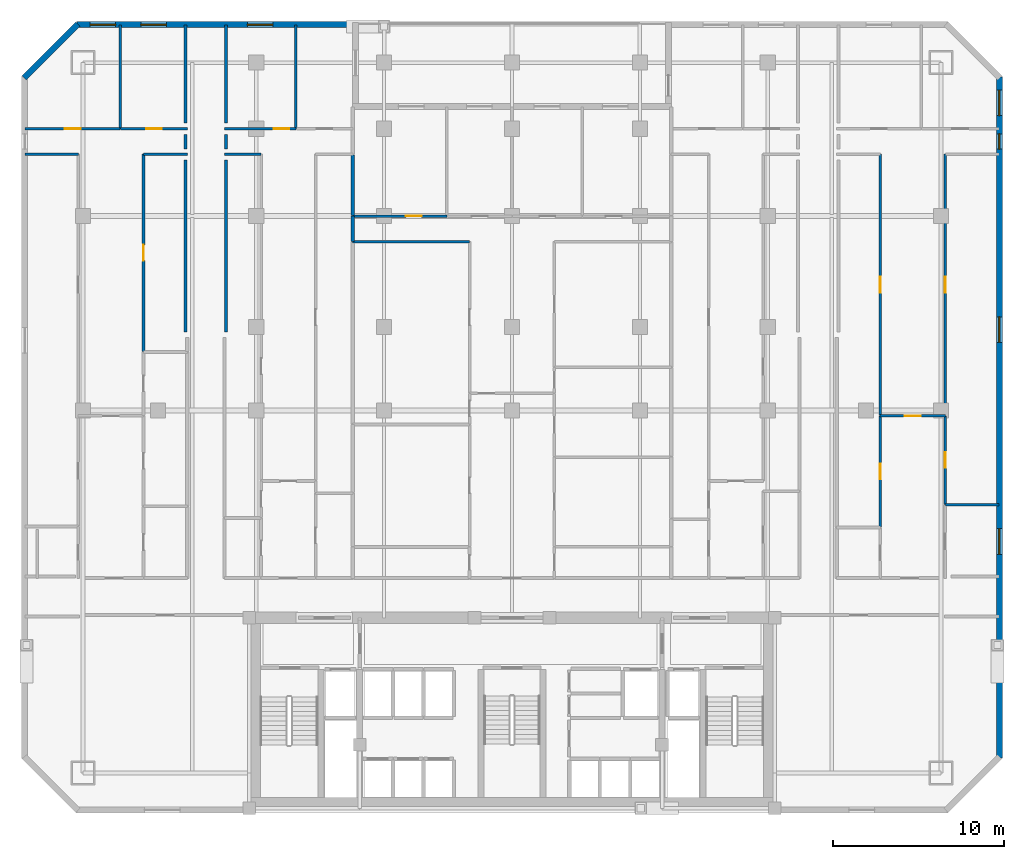
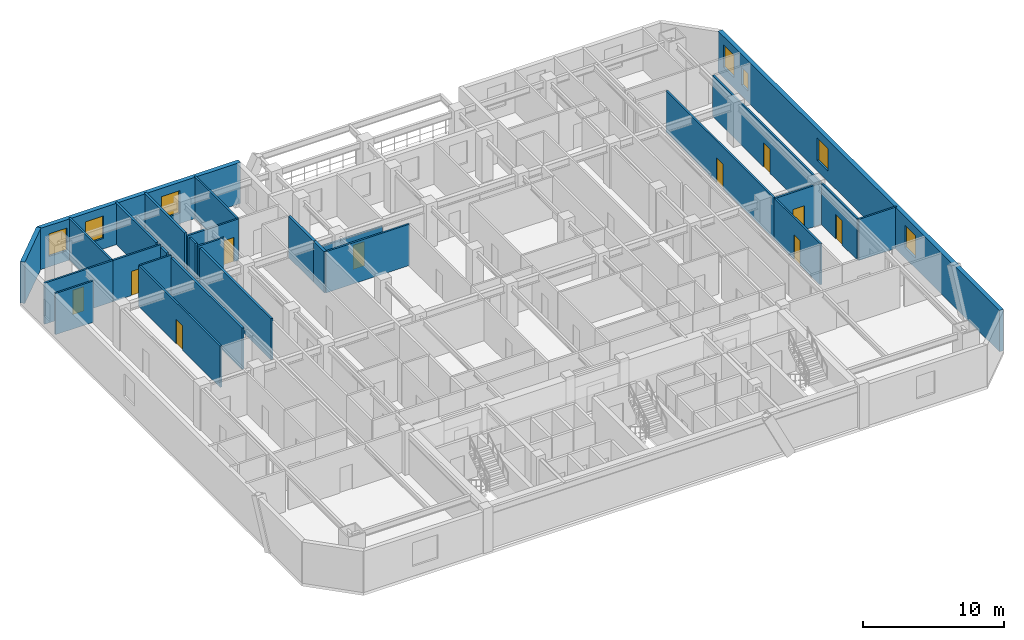
# One storey, part 7 of 10: 28 walls, 10 doors, 7 windows, 17 openings.
"""IFC4 building model written with IfcOpenShell, lengths in metres."""

from ifc_helpers import new_model, si_unit, direction, frame, frame_2d, origin, place, context, subcontext, project, spatial, rectangle, extrude, material, layer, layer_set, type_object, element, fill, save


model = new_model("IFC4")

# Units and contexts
model_context = context("Model", 3, precision=1e-05, world=origin(), true_north=direction((0.0, 1.0)))
body_context = subcontext(model_context, "Body", "Model", "MODEL_VIEW")
ifc_project = project(units=[si_unit("LENGTHUNIT", "METRE"), si_unit("AREAUNIT", "SQUARE_METRE"), si_unit("VOLUMEUNIT", "CUBIC_METRE"), si_unit("PLANEANGLEUNIT", "RADIAN"), si_unit("MASSUNIT", "GRAM", prefix="KILO")], contexts=[model_context])

# Site, building, storey
site_placement = place(None, origin())
site = spatial("IfcSite", under=ifc_project, at=site_placement, CompositionType="ELEMENT")
building_placement = place(site_placement, origin())
building = spatial("IfcBuilding", under=site, at=building_placement, Name="Ventersveld Concourse Tower", CompositionType="ELEMENT")
storey_placement = place(building_placement, frame((0.0, 0.0, 72.14990234375)))
storey = spatial("IfcBuildingStorey", under=building, at=storey_placement, Name="L17", CompositionType="ELEMENT", Elevation=72.14990234375)

# Walls
ifc_material_1 = material(Name="Fire-rated autoclaved aerated masonry blockwork", Category="masonry")
ifc_layer_1 = layer(ifc_material_1, 0.179931640625)
ifc_layer_set_1 = layer_set([ifc_layer_1], Name="Fire-rated autoclaved aerated masonry blockwork")
wall_type_1 = type_object("IfcWallType", Name="WL-CORR-180", PredefinedType="PARTITIONING", material=ifc_layer_set_1)
wall_1_placement = place(storey_placement, frame((9.6201171875, 39.794921875, 0.0), z_axis=(0.0, 0.0, 1.0), x_axis=(0.0, -1.0, 0.0)))
element("IfcWall", 1, at=wall_1_placement, inside=storey, type_object=wall_type_1, Name="L17 Room Enclosure Wall SP-L17-17NW-LIV", PredefinedType="PARTITIONING", context=body_context, shape_type="SweptSolid", body=[
    extrude(rectangle(XDim=0.849853515625, YDim=0.179931640625, at=frame_2d((0.4248046875, 0.0))), origin(), (0.0, 0.0, 1.0), 3.570068359375),
])
wall_2_placement = place(storey_placement, frame((9.6201171875, 38.294921875, 0.0), z_axis=(0.0, 0.0, 1.0), x_axis=(0.0, -1.0, 0.0)))
element("IfcWall", 2, at=wall_2_placement, inside=storey, type_object=wall_type_1, Name="L17 Room Enclosure Wall SP-L17-17NW-DENS", PredefinedType="PARTITIONING", context=body_context, shape_type="SweptSolid", body=[
    extrude(rectangle(XDim=10.0849609375, YDim=0.179931640625, at=frame_2d((5.04248046875, 0.0))), origin(), (0.0, 0.0, 1.0), 3.570068359375),
])
wall_3_placement = place(storey_placement, frame((9.6201171875, 46.18994140625, 0.0), z_axis=(0.0, 0.0, 1.0), x_axis=(0.0, -1.0, 0.0)))
element("IfcWall", 3, at=wall_3_placement, inside=storey, type_object=wall_type_1, Name="L17 Room Enclosure Wall SP-L17-17NW-BR2", PredefinedType="PARTITIONING", context=body_context, shape_type="SweptSolid", body=[
    extrude(rectangle(XDim=5.744873046875, YDim=0.179931640625, at=frame_2d((2.87255859375, 0.0))), origin(), (0.0, 0.0, 1.0), 3.570068359375),
])
wall_4_placement = place(storey_placement, frame((11.97998046875, 38.945068359375, 0.0), z_axis=(0.0, 0.0, 1.0), x_axis=(0.0, 1.0, 0.0)))
element("IfcWall", 4, at=wall_4_placement, inside=storey, type_object=wall_type_1, Name="L17 Room Enclosure Wall SP-L17-17CW-LIV", PredefinedType="PARTITIONING", context=body_context, shape_type="SweptSolid", body=[
    extrude(rectangle(XDim=0.849853515625, YDim=0.179931640625, at=frame_2d((0.4248046875, 0.0))), origin(), (0.0, 0.0, 1.0), 3.570068359375),
])
wall_5_placement = place(storey_placement, frame((11.97998046875, 28.2099609375, 0.0), z_axis=(0.0, 0.0, 1.0), x_axis=(0.0, 1.0, 0.0)))
element("IfcWall", 5, at=wall_5_placement, inside=storey, type_object=wall_type_1, Name="L17 Room Enclosure Wall SP-L17-17CW-SEML0", PredefinedType="PARTITIONING", context=body_context, shape_type="SweptSolid", body=[
    extrude(rectangle(XDim=10.0849609375, YDim=0.179931640625, at=frame_2d((5.04248046875, 0.0))), origin(), (0.0, 0.0, 1.0), 3.570068359375),
])
wall_6_placement = place(storey_placement, frame((11.97998046875, 40.445068359375, 0.0), z_axis=(0.0, 0.0, 1.0), x_axis=(0.0, 1.0, 0.0)))
element("IfcWall", 6, at=wall_6_placement, inside=storey, type_object=wall_type_1, Name="L17 Room Enclosure Wall SP-L17-17CW-BR1", PredefinedType="PARTITIONING", context=body_context, shape_type="SweptSolid", body=[
    extrude(rectangle(XDim=5.744873046875, YDim=0.179931640625, at=frame_2d((2.87255859375, 0.0))), origin(), (0.0, 0.0, 1.0), 3.570068359375),
])
ifc_layer_2 = layer(ifc_material_1, 0.199951171875)
ifc_layer_set_2 = layer_set([ifc_layer_2], Name="Fire-rated autoclaved aerated masonry blockwork")
wall_type_2 = type_object("IfcWallType", Name="WL-DEMISE-200", PredefinedType="PARTITIONING", material=ifc_layer_set_2)
wall_7_placement = place(storey_placement, frame((19.409912109375, 33.4951171875, 0.0), z_axis=(0.0, 0.0, 1.0), x_axis=(0.0, 1.0, 0.0)))
element("IfcWall", 7, at=wall_7_placement, inside=storey, type_object=wall_type_2, Name="L17 Interior Partition SP-L17-17CW-DENR-SP-L17-17CM-LIV", PredefinedType="PARTITIONING", context=body_context, shape_type="SweptSolid", body=[
    extrude(rectangle(XDim=1.509765625, YDim=0.199951171875, at=frame_2d((0.7548828125, 0.0))), origin(), (0.0, 0.0, 1.0), 3.570068359375),
])
wall_8_placement = place(storey_placement, frame((19.409912109375, 35.034912109375, 0.0), z_axis=(0.0, 0.0, 1.0), x_axis=(0.0, 1.0, 0.0)))
element("IfcWall", 8, at=wall_8_placement, inside=storey, type_object=wall_type_2, Name="L17 Interior Partition SP-L17-17CW-DENR-SP-L17-17CM-BR1", PredefinedType="PARTITIONING", context=body_context, shape_type="SweptSolid", body=[
    extrude(rectangle(XDim=3.550048828125, YDim=0.199951171875, at=frame_2d((1.77490234375, 0.0))), origin(), (0.0, 0.0, 1.0), 3.570068359375),
])
ifc_material_2 = material(Name="Autoclaved aerated masonry blockwork", Category="masonry")
ifc_layer_3 = layer(ifc_material_2, 0.14990234375)
ifc_layer_set_3 = layer_set([ifc_layer_3], Name="Autoclaved aerated masonry blockwork")
wall_type_3 = type_object("IfcWallType", Name="WL-INT-150", PredefinedType="PARTITIONING", material=ifc_layer_set_3)
wall_9_placement = place(storey_placement, frame((0.2099609375, 38.6201171875, 0.0), z_axis=(0.0, 0.0, 1.0), x_axis=(1.0, 0.0, 0.0)))
element("IfcWall", 9, at=wall_9_placement, inside=storey, type_object=wall_type_3, Name="L17 Interior Partition SP-L17-17NW-LIV-SP-L17-17NW-MEDL0", PredefinedType="PARTITIONING", context=body_context, shape_type="SweptSolid", body=[
    extrude(rectangle(XDim=3.117919921875, YDim=0.14990234375, at=frame_2d((1.55908203125, 0.0))), origin(), (0.0, 0.0, 1.0), 3.570068359375),
])

# Wall, opening, door
wall_10_placement = place(storey_placement, frame((7.144775390625, 27.06396484375, 0.0), z_axis=(0.0, 0.0, 1.0), x_axis=(0.0, 1.0, 0.0)))
wall_10 = element("IfcWall", 10, at=wall_10_placement, inside=storey, type_object=wall_type_3, Name="L17 Interior Partition SP-L17-17NW-LIV-SP-L17-17NW-DENS", PredefinedType="PARTITIONING", context=body_context, shape_type="SweptSolid", body=[
    extrude(rectangle(XDim=11.56103515625, YDim=0.14990234375, at=frame_2d((5.780517578125, 0.0))), origin(), (0.0, 0.0, 1.0), 3.570068359375),
])
opening_1_placement = place(wall_10_placement, frame((5.320556640625, 0.0, 0.0)))
opening_1 = element("IfcOpeningElement", 11, at=opening_1_placement, cuts=wall_10, Name="Opening ID1", PredefinedType="OPENING", context=body_context, shape_type="SweptSolid", body=[
    extrude(rectangle(XDim=0.919921875, YDim=2.10009765625, at=frame_2d((0.4599609375, 1.050048828125))), frame((0.0, 0.0849609375, 0.0), z_axis=(0.0, -1.0, 0.0), x_axis=(1.0, 0.0, 0.0)), (0.0, 0.0, 1.0), 0.169921875),
])
ifc_material_3 = material(Name="Solid-core hardwood veneer timber", Category="wood")
door_type = type_object("IfcDoorType", Name="DR-ROOM-092", OperationType="NOTDEFINED", PredefinedType="DOOR", material=ifc_material_3)
door_1_placement = place(opening_1_placement, origin())
door_1 = element("IfcDoor", 12, at=door_1_placement, inside=storey, type_object=door_type, Name="L17 Interior Door SP-L17-17NW-LIV to SP-L17-17NW-DENS (D-L17-0792)", OperationType="SINGLE_SWING_RIGHT", OverallHeight=2.10009765625, OverallWidth=0.919921875, PredefinedType="DOOR", context=body_context, shape_type="SweptSolid", body=[
    extrude(rectangle(XDim=0.919921875, YDim=2.10009765625, at=frame_2d((0.4599609375, 1.050048828125))), frame((0.0, 0.02490234375, 0.0), z_axis=(0.0, -1.0, 0.0), x_axis=(1.0, 0.0, 0.0)), (0.0, 0.0, 1.0), 0.050048828125),
])
fill(opening_1, door_1)

# Wall
wall_11_placement = place(storey_placement, frame((7.139892578125, 38.6201171875, 0.0), z_axis=(0.0, 0.0, 1.0), x_axis=(1.0, 0.0, 0.0)))
element("IfcWall", 13, at=wall_11_placement, inside=storey, type_object=wall_type_3, Name="L17 Interior Partition SP-L17-17NW-LIV-SP-L17-17NW-DENS", PredefinedType="PARTITIONING", context=body_context, shape_type="SweptSolid", body=[
    extrude(rectangle(XDim=2.5751953125, YDim=0.14990234375, at=frame_2d((1.28759765625, 0.0))), origin(), (0.0, 0.0, 1.0), 3.570068359375),
])

# Wall, opening, door
wall_12_placement = place(storey_placement, frame((0.2099609375, 40.1201171875, 0.0), z_axis=(0.0, 0.0, 1.0), x_axis=(1.0, 0.0, 0.0)))
wall_12 = element("IfcWall", 14, at=wall_12_placement, inside=storey, type_object=wall_type_3, Name="L17 Interior Partition SP-L17-17NW-LIV-SP-L17-17NW-BR1", PredefinedType="PARTITIONING", context=body_context, shape_type="SweptSolid", body=[
    extrude(rectangle(XDim=5.566162109375, YDim=0.14990234375, at=frame_2d((2.783203125, 0.0))), origin(), (0.0, 0.0, 1.0), 3.570068359375),
])
opening_2_placement = place(wall_12_placement, frame((2.322998046875, 0.0, 0.0)))
opening_2 = element("IfcOpeningElement", 15, at=opening_2_placement, cuts=wall_12, Name="Opening ID1", PredefinedType="OPENING", context=body_context, shape_type="SweptSolid", body=[
    extrude(rectangle(XDim=0.919921875, YDim=2.10009765625, at=frame_2d((0.4599609375, 1.050048828125))), frame((0.0, 0.0849609375, 0.0), z_axis=(0.0, -1.0, 0.0), x_axis=(1.0, 0.0, 0.0)), (0.0, 0.0, 1.0), 0.169921875),
])
door_2_placement = place(opening_2_placement, origin())
door_2 = element("IfcDoor", 16, at=door_2_placement, inside=storey, type_object=door_type, Name="L17 Interior Door SP-L17-17NW-LIV to SP-L17-17NW-BR1 (D-L17-0793)", OperationType="SINGLE_SWING_LEFT", OverallHeight=2.10009765625, OverallWidth=0.919921875, PredefinedType="DOOR", context=body_context, shape_type="SweptSolid", body=[
    extrude(rectangle(XDim=0.919921875, YDim=2.10009765625, at=frame_2d((0.4599609375, 1.050048828125))), frame((0.0, 0.02490234375, 0.0), z_axis=(0.0, -1.0, 0.0), x_axis=(1.0, 0.0, 0.0)), (0.0, 0.0, 1.0), 0.050048828125),
])
fill(opening_2, door_2)

wall_13_placement = place(storey_placement, frame((5.80615234375, 40.1201171875, 0.0), z_axis=(0.0, 0.0, 1.0), x_axis=(1.0, 0.0, 0.0)))
wall_13 = element("IfcWall", 17, at=wall_13_placement, inside=storey, type_object=wall_type_3, Name="L17 Interior Partition SP-L17-17NW-LIV-SP-L17-17NW-BR2", PredefinedType="PARTITIONING", context=body_context, shape_type="SweptSolid", body=[
    extrude(rectangle(XDim=3.908935546875, YDim=0.14990234375, at=frame_2d((1.95458984375, 0.0))), origin(), (0.0, 0.0, 1.0), 3.570068359375),
])
opening_3_placement = place(wall_13_placement, frame((1.494384765625, 0.0, 0.0)))
opening_3 = element("IfcOpeningElement", 18, at=opening_3_placement, cuts=wall_13, Name="Opening ID1", PredefinedType="OPENING", context=body_context, shape_type="SweptSolid", body=[
    extrude(rectangle(XDim=0.919921875, YDim=2.10009765625, at=frame_2d((0.4599609375, 1.050048828125))), frame((0.0, 0.0849609375, 0.0), z_axis=(0.0, -1.0, 0.0), x_axis=(1.0, 0.0, 0.0)), (0.0, 0.0, 1.0), 0.169921875),
])
door_3_placement = place(opening_3_placement, origin())
door_3 = element("IfcDoor", 19, at=door_3_placement, inside=storey, type_object=door_type, Name="L17 Interior Door SP-L17-17NW-LIV to SP-L17-17NW-BR2 (D-L17-0794)", OperationType="SINGLE_SWING_RIGHT", OverallHeight=2.10009765625, OverallWidth=0.919921875, PredefinedType="DOOR", context=body_context, shape_type="SweptSolid", body=[
    extrude(rectangle(XDim=0.919921875, YDim=2.10009765625, at=frame_2d((0.4599609375, 1.050048828125))), frame((0.0, 0.02490234375, 0.0), z_axis=(0.0, -1.0, 0.0), x_axis=(1.0, 0.0, 0.0)), (0.0, 0.0, 1.0), 0.050048828125),
])
fill(opening_3, door_3)

# Wall
wall_14_placement = place(storey_placement, frame((5.771240234375, 40.114990234375, 0.0), z_axis=(0.0, 0.0, 1.0), x_axis=(0.0, 1.0, 0.0)))
element("IfcWall", 20, at=wall_14_placement, inside=storey, type_object=wall_type_3, Name="L17 Interior Partition SP-L17-17NW-BR1-SP-L17-17NW-BR2", PredefinedType="PARTITIONING", context=body_context, shape_type="SweptSolid", body=[
    extrude(rectangle(XDim=6.074951171875, YDim=0.14990234375, at=frame_2d((3.03759765625, 0.0))), origin(), (0.0, 0.0, 1.0), 3.570068359375),
])

# Wall, opening, door
wall_15_placement = place(storey_placement, frame((50.33203125, 23.2822265625, 0.0), z_axis=(0.0, 0.0, 1.0), x_axis=(1.0, 0.0, 0.0)))
wall_15 = element("IfcWall", 21, at=wall_15_placement, inside=storey, type_object=wall_type_3, Name="L17 Interior Partition SP-L17-17NE-FOY-SP-L17-17NE-LIV", PredefinedType="PARTITIONING", context=body_context, shape_type="SweptSolid", body=[
    extrude(rectangle(XDim=3.83203125, YDim=0.14990234375, at=frame_2d((1.916015625, 0.0))), origin(), (0.0, 0.0, 1.0), 3.570068359375),
])
opening_4_placement = place(wall_15_placement, frame((1.4560546875, 0.0, 0.0)))
opening_4 = element("IfcOpeningElement", 22, at=opening_4_placement, cuts=wall_15, Name="Opening ID1", PredefinedType="OPENING", context=body_context, shape_type="SweptSolid", body=[
    extrude(rectangle(XDim=0.919921875, YDim=2.10009765625, at=frame_2d((0.4599609375, 1.050048828125))), frame((0.0, 0.0849609375, 0.0), z_axis=(0.0, -1.0, 0.0), x_axis=(1.0, 0.0, 0.0)), (0.0, 0.0, 1.0), 0.169921875),
])
door_4_placement = place(opening_4_placement, origin())
door_4 = element("IfcDoor", 23, at=door_4_placement, inside=storey, type_object=door_type, Name="L17 Interior Door SP-L17-17NE-FOY to SP-L17-17NE-LIV (D-L17-0795)", OperationType="SINGLE_SWING_LEFT", OverallHeight=2.10009765625, OverallWidth=0.919921875, PredefinedType="DOOR", context=body_context, shape_type="SweptSolid", body=[
    extrude(rectangle(XDim=0.919921875, YDim=2.10009765625, at=frame_2d((0.4599609375, 1.050048828125))), frame((0.0, 0.02490234375, 0.0), z_axis=(0.0, -1.0, 0.0), x_axis=(1.0, 0.0, 0.0)), (0.0, 0.0, 1.0), 0.050048828125),
])
fill(opening_4, door_4)

wall_16_placement = place(storey_placement, frame((50.337158203125, 16.773193359375, 0.0), z_axis=(0.0, 0.0, 1.0), x_axis=(0.0, 1.0, 0.0)))
wall_16 = element("IfcWall", 24, at=wall_16_placement, inside=storey, type_object=wall_type_3, Name="L17 Interior Partition SP-L17-17NE-FOY-SP-L17-17NE-MEDL0", PredefinedType="PARTITIONING", context=body_context, shape_type="SweptSolid", body=[
    extrude(rectangle(XDim=6.513916015625, YDim=0.14990234375, at=frame_2d((3.2568359375, 0.0))), origin(), (0.0, 0.0, 1.0), 3.570068359375),
])
opening_5_placement = place(wall_16_placement, frame((2.797119140625, 0.0, 0.0)))
opening_5 = element("IfcOpeningElement", 25, at=opening_5_placement, cuts=wall_16, Name="Opening ID1", PredefinedType="OPENING", context=body_context, shape_type="SweptSolid", body=[
    extrude(rectangle(XDim=0.919921875, YDim=2.10009765625, at=frame_2d((0.4599609375, 1.050048828125))), frame((0.0, 0.0849609375, 0.0), z_axis=(0.0, -1.0, 0.0), x_axis=(1.0, 0.0, 0.0)), (0.0, 0.0, 1.0), 0.169921875),
])
door_5_placement = place(opening_5_placement, origin())
door_5 = element("IfcDoor", 26, at=door_5_placement, inside=storey, type_object=door_type, Name="L17 Interior Door SP-L17-17NE-FOY to SP-L17-17NE-MEDL0 (D-L17-0797)", OperationType="SINGLE_SWING_LEFT", OverallHeight=2.10009765625, OverallWidth=0.919921875, PredefinedType="DOOR", context=body_context, shape_type="SweptSolid", body=[
    extrude(rectangle(XDim=0.919921875, YDim=2.10009765625, at=frame_2d((0.4599609375, 1.050048828125))), frame((0.0, 0.02490234375, 0.0), z_axis=(0.0, -1.0, 0.0), x_axis=(1.0, 0.0, 0.0)), (0.0, 0.0, 1.0), 0.050048828125),
])
fill(opening_5, door_5)

wall_17_placement = place(storey_placement, frame((54.1591796875, 18.103515625, 0.0), z_axis=(0.0, 0.0, 1.0), x_axis=(0.0, 1.0, 0.0)))
wall_17 = element("IfcWall", 27, at=wall_17_placement, inside=storey, type_object=wall_type_3, Name="L17 Interior Partition SP-L17-17NE-FOY-SP-L17-17NE-DENR", PredefinedType="PARTITIONING", context=body_context, shape_type="SweptSolid", body=[
    extrude(rectangle(XDim=5.18359375, YDim=0.14990234375, at=frame_2d((2.591796875, 0.0))), origin(), (0.0, 0.0, 1.0), 3.570068359375),
])
opening_6_placement = place(wall_17_placement, frame((2.1318359375, 0.0, 0.0)))
opening_6 = element("IfcOpeningElement", 28, at=opening_6_placement, cuts=wall_17, Name="Opening ID1", PredefinedType="OPENING", context=body_context, shape_type="SweptSolid", body=[
    extrude(rectangle(XDim=0.919921875, YDim=2.10009765625, at=frame_2d((0.4599609375, 1.050048828125))), frame((0.0, 0.0849609375, 0.0), z_axis=(0.0, -1.0, 0.0), x_axis=(1.0, 0.0, 0.0)), (0.0, 0.0, 1.0), 0.169921875),
])
door_6_placement = place(opening_6_placement, origin())
door_6 = element("IfcDoor", 29, at=door_6_placement, inside=storey, type_object=door_type, Name="L17 Interior Door SP-L17-17NE-FOY to SP-L17-17NE-DENR (D-L17-0799)", OperationType="SINGLE_SWING_LEFT", OverallHeight=2.10009765625, OverallWidth=0.919921875, PredefinedType="DOOR", context=body_context, shape_type="SweptSolid", body=[
    extrude(rectangle(XDim=0.919921875, YDim=2.10009765625, at=frame_2d((0.4599609375, 1.050048828125))), frame((0.0, 0.02490234375, 0.0), z_axis=(0.0, -1.0, 0.0), x_axis=(1.0, 0.0, 0.0)), (0.0, 0.0, 1.0), 0.050048828125),
])
fill(opening_6, door_6)

wall_18_placement = place(storey_placement, frame((50.337158203125, 23.317138671875, 0.0), z_axis=(0.0, 0.0, 1.0), x_axis=(0.0, 1.0, 0.0)))
wall_18 = element("IfcWall", 30, at=wall_18_placement, inside=storey, type_object=wall_type_3, Name="L17 Interior Partition SP-L17-17NE-LIV-SP-L17-17NE-MEDL0", PredefinedType="PARTITIONING", context=body_context, shape_type="SweptSolid", body=[
    extrude(rectangle(XDim=15.307861328125, YDim=0.14990234375, at=frame_2d((7.65380859375, 0.0))), origin(), (0.0, 0.0, 1.0), 3.570068359375),
])
opening_7_placement = place(wall_18_placement, frame((7.19384765625, 0.0, 0.0)))
opening_7 = element("IfcOpeningElement", 31, at=opening_7_placement, cuts=wall_18, Name="Opening ID1", PredefinedType="OPENING", context=body_context, shape_type="SweptSolid", body=[
    extrude(rectangle(XDim=0.919921875, YDim=2.10009765625, at=frame_2d((0.4599609375, 1.050048828125))), frame((0.0, 0.0849609375, 0.0), z_axis=(0.0, -1.0, 0.0), x_axis=(1.0, 0.0, 0.0)), (0.0, 0.0, 1.0), 0.169921875),
])
door_7_placement = place(opening_7_placement, origin())
door_7 = element("IfcDoor", 32, at=door_7_placement, inside=storey, type_object=door_type, Name="L17 Interior Door SP-L17-17NE-LIV to SP-L17-17NE-MEDL0 (D-L17-0800)", OperationType="SINGLE_SWING_RIGHT", OverallHeight=2.10009765625, OverallWidth=0.919921875, PredefinedType="DOOR", context=body_context, shape_type="SweptSolid", body=[
    extrude(rectangle(XDim=0.919921875, YDim=2.10009765625, at=frame_2d((0.4599609375, 1.050048828125))), frame((0.0, 0.02490234375, 0.0), z_axis=(0.0, -1.0, 0.0), x_axis=(1.0, 0.0, 0.0)), (0.0, 0.0, 1.0), 0.050048828125),
])
fill(opening_7, door_7)

wall_19_placement = place(storey_placement, frame((54.1591796875, 23.317138671875, 0.0), z_axis=(0.0, 0.0, 1.0), x_axis=(0.0, 1.0, 0.0)))
wall_19 = element("IfcWall", 33, at=wall_19_placement, inside=storey, type_object=wall_type_3, Name="L17 Interior Partition SP-L17-17NE-LIV-SP-L17-17NE-DENR", PredefinedType="PARTITIONING", context=body_context, shape_type="SweptSolid", body=[
    extrude(rectangle(XDim=15.307861328125, YDim=0.14990234375, at=frame_2d((7.65380859375, 0.0))), origin(), (0.0, 0.0, 1.0), 3.570068359375),
])
opening_8_placement = place(wall_19_placement, frame((7.19384765625, 0.0, 0.0)))
opening_8 = element("IfcOpeningElement", 34, at=opening_8_placement, cuts=wall_19, Name="Opening ID1", PredefinedType="OPENING", context=body_context, shape_type="SweptSolid", body=[
    extrude(rectangle(XDim=0.919921875, YDim=2.10009765625, at=frame_2d((0.4599609375, 1.050048828125))), frame((0.0, 0.0849609375, 0.0), z_axis=(0.0, -1.0, 0.0), x_axis=(1.0, 0.0, 0.0)), (0.0, 0.0, 1.0), 0.169921875),
])
door_8_placement = place(opening_8_placement, origin())
door_8 = element("IfcDoor", 35, at=door_8_placement, inside=storey, type_object=door_type, Name="L17 Interior Door SP-L17-17NE-LIV to SP-L17-17NE-DENR (D-L17-0801)", OperationType="SINGLE_SWING_LEFT", OverallHeight=2.10009765625, OverallWidth=0.919921875, PredefinedType="DOOR", context=body_context, shape_type="SweptSolid", body=[
    extrude(rectangle(XDim=0.919921875, YDim=2.10009765625, at=frame_2d((0.4599609375, 1.050048828125))), frame((0.0, 0.02490234375, 0.0), z_axis=(0.0, -1.0, 0.0), x_axis=(1.0, 0.0, 0.0)), (0.0, 0.0, 1.0), 0.050048828125),
])
fill(opening_8, door_8)

# Walls
wall_20_placement = place(storey_placement, frame((54.154052734375, 18.068603515625, 0.0), z_axis=(0.0, 0.0, 1.0), x_axis=(1.0, 0.0, 0.0)))
element("IfcWall", 36, at=wall_20_placement, inside=storey, type_object=wall_type_3, Name="L17 Interior Partition SP-L17-17NE-KIT-SP-L17-17NE-DENR", PredefinedType="PARTITIONING", context=body_context, shape_type="SweptSolid", body=[
    extrude(rectangle(XDim=3.135986328125, YDim=0.14990234375, at=frame_2d((1.56787109375, 0.0))), origin(), (0.0, 0.0, 1.0), 3.570068359375),
])
wall_21_placement = place(storey_placement, frame((11.885009765625, 38.6201171875, 0.0), z_axis=(0.0, 0.0, 1.0), x_axis=(1.0, 0.0, 0.0)))
element("IfcWall", 37, at=wall_21_placement, inside=storey, type_object=wall_type_3, Name="L17 Interior Partition SP-L17-17CW-LIV-SP-L17-17CW-SEML0", PredefinedType="PARTITIONING", context=body_context, shape_type="SweptSolid", body=[
    extrude(rectangle(XDim=2.156494140625, YDim=0.14990234375, at=frame_2d((1.078125, 0.0))), origin(), (0.0, 0.0, 1.0), 3.570068359375),
])

# Wall, opening, door
wall_22_placement = place(storey_placement, frame((11.885009765625, 40.1201171875, 0.0), z_axis=(0.0, 0.0, 1.0), x_axis=(1.0, 0.0, 0.0)))
wall_22 = element("IfcWall", 38, at=wall_22_placement, inside=storey, type_object=wall_type_3, Name="L17 Interior Partition SP-L17-17CW-LIV-SP-L17-17CW-BR1", PredefinedType="PARTITIONING", context=body_context, shape_type="SweptSolid", body=[
    extrude(rectangle(XDim=4.191162109375, YDim=0.14990234375, at=frame_2d((2.095703125, 0.0))), origin(), (0.0, 0.0, 1.0), 3.570068359375),
])
opening_9_placement = place(wall_22_placement, frame((2.89306640625, 0.0, 0.0)))
opening_9 = element("IfcOpeningElement", 39, at=opening_9_placement, cuts=wall_22, Name="Opening ID1", PredefinedType="OPENING", context=body_context, shape_type="SweptSolid", body=[
    extrude(rectangle(XDim=0.919921875, YDim=2.10009765625, at=frame_2d((0.4599609375, 1.050048828125))), frame((0.0, 0.0849609375, 0.0), z_axis=(0.0, -1.0, 0.0), x_axis=(1.0, 0.0, 0.0)), (0.0, 0.0, 1.0), 0.169921875),
])
door_9_placement = place(opening_9_placement, origin())
door_9 = element("IfcDoor", 40, at=door_9_placement, inside=storey, type_object=door_type, Name="L17 Interior Door SP-L17-17CW-LIV to SP-L17-17CW-BR1 (D-L17-0810)", OperationType="SINGLE_SWING_RIGHT", OverallHeight=2.10009765625, OverallWidth=0.919921875, PredefinedType="DOOR", context=body_context, shape_type="SweptSolid", body=[
    extrude(rectangle(XDim=0.919921875, YDim=2.10009765625, at=frame_2d((0.4599609375, 1.050048828125))), frame((0.0, 0.02490234375, 0.0), z_axis=(0.0, -1.0, 0.0), x_axis=(1.0, 0.0, 0.0)), (0.0, 0.0, 1.0), 0.050048828125),
])
fill(opening_9, door_9)

# Walls
wall_23_placement = place(storey_placement, frame((16.0712890625, 40.114990234375, 0.0), z_axis=(0.0, 0.0, 1.0), x_axis=(0.0, 1.0, 0.0)))
element("IfcWall", 41, at=wall_23_placement, inside=storey, type_object=wall_type_3, Name="L17 Interior Partition SP-L17-17CW-BR1-SP-L17-17CW-BR2", PredefinedType="PARTITIONING", context=body_context, shape_type="SweptSolid", body=[
    extrude(rectangle(XDim=6.074951171875, YDim=0.14990234375, at=frame_2d((3.03759765625, 0.0))), origin(), (0.0, 0.0, 1.0), 3.570068359375),
])
wall_24_placement = place(storey_placement, frame((19.405029296875, 33.5, 0.0), z_axis=(0.0, 0.0, 1.0), x_axis=(1.0, 0.0, 0.0)))
element("IfcWall", 42, at=wall_24_placement, inside=storey, type_object=wall_type_3, Name="L17 Interior Partition SP-L17-17CM-LIV-SP-L17-17CM-DENL2", PredefinedType="PARTITIONING", context=body_context, shape_type="SweptSolid", body=[
    extrude(rectangle(XDim=6.85986328125, YDim=0.14990234375, at=frame_2d((3.429931640625, 0.0))), origin(), (0.0, 0.0, 1.0), 3.570068359375),
])

# Wall, opening, door
wall_25_placement = place(storey_placement, frame((19.405029296875, 35.0, 0.0), z_axis=(0.0, 0.0, 1.0), x_axis=(1.0, 0.0, 0.0)))
wall_25 = element("IfcWall", 43, at=wall_25_placement, inside=storey, type_object=wall_type_3, Name="L17 Interior Partition SP-L17-17CM-LIV-SP-L17-17CM-BR1", PredefinedType="PARTITIONING", context=body_context, shape_type="SweptSolid", body=[
    extrude(rectangle(XDim=5.52197265625, YDim=0.14990234375, at=frame_2d((2.760986328125, 0.0))), origin(), (0.0, 0.0, 1.0), 2.934326171875),
])
opening_10_placement = place(wall_25_placement, frame((3.129150390625, 0.0, 0.0)))
opening_10 = element("IfcOpeningElement", 44, at=opening_10_placement, cuts=wall_25, Name="Opening ID1", PredefinedType="OPENING", context=body_context, shape_type="SweptSolid", body=[
    extrude(rectangle(XDim=0.919921875, YDim=2.10009765625, at=frame_2d((0.4599609375, 1.050048828125))), frame((0.0, 0.0849609375, 0.0), z_axis=(0.0, -1.0, 0.0), x_axis=(1.0, 0.0, 0.0)), (0.0, 0.0, 1.0), 0.169921875),
])
door_10_placement = place(opening_10_placement, origin())
door_10 = element("IfcDoor", 45, at=door_10_placement, inside=storey, type_object=door_type, Name="L17 Interior Door SP-L17-17CM-LIV to SP-L17-17CM-BR1 (D-L17-0830)", OperationType="SINGLE_SWING_RIGHT", OverallHeight=2.10009765625, OverallWidth=0.919921875, PredefinedType="DOOR", context=body_context, shape_type="SweptSolid", body=[
    extrude(rectangle(XDim=0.919921875, YDim=2.10009765625, at=frame_2d((0.4599609375, 1.050048828125))), frame((0.0, 0.02490234375, 0.0), z_axis=(0.0, -1.0, 0.0), x_axis=(1.0, 0.0, 0.0)), (0.0, 0.0, 1.0), 0.050048828125),
])
fill(opening_10, door_10)

# Wall, openings, windows
ifc_material_4 = material(Name="Precast concrete C45/55", Category="concrete")
ifc_layer_4 = layer(ifc_material_4, 0.35009765625)
ifc_layer_set_4 = layer_set([ifc_layer_4], Name="Precast concrete C45/55")
wall_type_4 = type_object("IfcWallType", Name="WL-PREC-350", PredefinedType="SOLIDWALL", material=ifc_layer_set_4)
wall_26_placement = place(storey_placement, frame((57.324951171875, 3.239990234375, 0.0), z_axis=(0.0, 0.0, 1.0), x_axis=(0.0, 1.0, 0.0)))
wall_26 = element("IfcWall", 46, at=wall_26_placement, inside=storey, type_object=wall_type_4, Name="L17 Highveld Precast Facade Wall E03", PredefinedType="SOLIDWALL", context=body_context, shape_type="SweptSolid", body=[
    extrude(rectangle(XDim=39.919921875, YDim=0.35009765625, at=frame_2d((19.9599609375, 0.0))), origin(), (0.0, 0.0, 1.0), 3.570068359375),
])
opening_11_placement = place(wall_26_placement, frame((35.679931640625, 0.0, 0.949951171875)))
opening_11 = element("IfcOpeningElement", 47, at=opening_11_placement, cuts=wall_26, Name="Opening W4", PredefinedType="OPENING", context=body_context, shape_type="SweptSolid", body=[
    extrude(rectangle(XDim=0.89990234375, YDim=1.5, at=frame_2d((0.449951171875, 0.75))), frame((0.0, 0.18505859375, 0.0), z_axis=(0.0, -1.0, 0.0), x_axis=(1.0, 0.0, 0.0)), (0.0, 0.0, 1.0), 0.3701171875),
])
opening_12_placement = place(wall_26_placement, frame((11.92919921875, 0.0, 0.89990234375)))
opening_12 = element("IfcOpeningElement", 48, at=opening_12_placement, cuts=wall_26, Name="Opening W1", PredefinedType="OPENING", context=body_context, shape_type="SweptSolid", body=[
    extrude(rectangle(XDim=1.5, YDim=1.949951171875, at=frame_2d((0.75, 0.97509765625))), frame((0.0, 0.18505859375, 0.0), z_axis=(0.0, -1.0, 0.0), x_axis=(1.0, 0.0, 0.0)), (0.0, 0.0, 1.0), 0.3701171875),
])
opening_13_placement = place(wall_26_placement, frame((24.354248046875, 0.0, 0.89990234375)))
opening_13 = element("IfcOpeningElement", 49, at=opening_13_placement, cuts=wall_26, Name="Opening W1", PredefinedType="OPENING", context=body_context, shape_type="SweptSolid", body=[
    extrude(rectangle(XDim=1.5, YDim=1.949951171875, at=frame_2d((0.75, 0.97509765625))), frame((0.0, 0.18505859375, 0.0), z_axis=(0.0, -1.0, 0.0), x_axis=(1.0, 0.0, 0.0)), (0.0, 0.0, 1.0), 0.3701171875),
])
opening_14_placement = place(wall_26_placement, frame((37.64990234375, 0.0, 0.89990234375)))
opening_14 = element("IfcOpeningElement", 50, at=opening_14_placement, cuts=wall_26, Name="Opening W1", PredefinedType="OPENING", context=body_context, shape_type="SweptSolid", body=[
    extrude(rectangle(XDim=1.5, YDim=1.949951171875, at=frame_2d((0.75, 0.97509765625))), frame((0.0, 0.18505859375, 0.0), z_axis=(0.0, -1.0, 0.0), x_axis=(1.0, 0.0, 0.0)), (0.0, 0.0, 1.0), 0.3701171875),
])
ifc_material_5 = material(Name="Tempered acoustic Low-E IGU", Category="glass")
window_type_1 = type_object("IfcWindowType", Name="WIN-090x150", PartitioningType="SINGLE_PANEL", PredefinedType="WINDOW", material=ifc_material_5)
window_1_placement = place(opening_11_placement, origin())
window_1 = element("IfcWindow", 51, at=window_1_placement, inside=storey, type_object=window_type_1, Name="L17 Punched Low-E Window W-0165", OverallHeight=1.5, OverallWidth=0.89990234375, PartitioningType="SINGLE_PANEL", PredefinedType="WINDOW", context=body_context, shape_type="SweptSolid", body=[
    extrude(rectangle(XDim=0.89990234375, YDim=1.5, at=frame_2d((0.449951171875, 0.75))), frame((0.0, 0.030029296875, 0.0), z_axis=(0.0, -1.0, 0.0), x_axis=(1.0, 0.0, 0.0)), (0.0, 0.0, 1.0), 0.06005859375),
])
fill(opening_11, window_1)
window_type_2 = type_object("IfcWindowType", Name="WIN-150x210", PartitioningType="SINGLE_PANEL", PredefinedType="WINDOW", material=ifc_material_5)
window_2_placement = place(opening_12_placement, origin())
window_2 = element("IfcWindow", 52, at=window_2_placement, inside=storey, type_object=window_type_2, Name="L17 Punched Low-E Window W-0166", OverallHeight=1.949951171875, OverallWidth=1.5, PartitioningType="SINGLE_PANEL", PredefinedType="WINDOW", context=body_context, shape_type="SweptSolid", body=[
    extrude(rectangle(XDim=1.5, YDim=1.949951171875, at=frame_2d((0.75, 0.97509765625))), frame((0.0, 0.030029296875, 0.0), z_axis=(0.0, -1.0, 0.0), x_axis=(1.0, 0.0, 0.0)), (0.0, 0.0, 1.0), 0.06005859375),
])
fill(opening_12, window_2)
window_3_placement = place(opening_13_placement, origin())
window_3 = element("IfcWindow", 53, at=window_3_placement, inside=storey, type_object=window_type_2, Name="L17 Punched Low-E Window W-0167", OverallHeight=1.949951171875, OverallWidth=1.5, PartitioningType="SINGLE_PANEL", PredefinedType="WINDOW", context=body_context, shape_type="SweptSolid", body=[
    extrude(rectangle(XDim=1.5, YDim=1.949951171875, at=frame_2d((0.75, 0.97509765625))), frame((0.0, 0.030029296875, 0.0), z_axis=(0.0, -1.0, 0.0), x_axis=(1.0, 0.0, 0.0)), (0.0, 0.0, 1.0), 0.06005859375),
])
fill(opening_13, window_3)
window_4_placement = place(opening_14_placement, origin())
window_4 = element("IfcWindow", 54, at=window_4_placement, inside=storey, type_object=window_type_2, Name="L17 Punched Low-E Window W-0169", OverallHeight=1.949951171875, OverallWidth=1.5, PartitioningType="SINGLE_PANEL", PredefinedType="WINDOW", context=body_context, shape_type="SweptSolid", body=[
    extrude(rectangle(XDim=1.5, YDim=1.949951171875, at=frame_2d((0.75, 0.97509765625))), frame((0.0, 0.030029296875, 0.0), z_axis=(0.0, -1.0, 0.0), x_axis=(1.0, 0.0, 0.0)), (0.0, 0.0, 1.0), 0.06005859375),
])
fill(opening_14, window_4)

wall_27_placement = place(storey_placement, frame((19.7099609375, 46.22509765625, 0.0), z_axis=(0.0, 0.0, 1.0), x_axis=(-1.0, 0.0, 0.0)))
wall_27 = element("IfcWall", 55, at=wall_27_placement, inside=storey, type_object=wall_type_4, Name="L17 Highveld Precast Facade Wall E09", PredefinedType="SOLIDWALL", context=body_context, shape_type="SweptSolid", body=[
    extrude(rectangle(XDim=16.469970703125, YDim=0.35009765625, at=frame_2d((8.23486328125, 0.0))), origin(), (0.0, 0.0, 1.0), 3.570068359375),
])
opening_15_placement = place(wall_27_placement, frame((14.199951171875, 0.0, 0.89990234375)))
opening_15 = element("IfcOpeningElement", 56, at=opening_15_placement, cuts=wall_27, Name="Opening W1", PredefinedType="OPENING", context=body_context, shape_type="SweptSolid", body=[
    extrude(rectangle(XDim=1.5, YDim=1.949951171875, at=frame_2d((0.75, 0.97509765625))), frame((0.0, 0.18505859375, 0.0), z_axis=(0.0, -1.0, 0.0), x_axis=(1.0, 0.0, 0.0)), (0.0, 0.0, 1.0), 0.3701171875),
])
opening_16_placement = place(wall_27_placement, frame((11.219482421875, 0.0, 0.89990234375)))
opening_16 = element("IfcOpeningElement", 57, at=opening_16_placement, cuts=wall_27, Name="Opening W1", PredefinedType="OPENING", context=body_context, shape_type="SweptSolid", body=[
    extrude(rectangle(XDim=1.5, YDim=1.949951171875, at=frame_2d((0.75, 0.97509765625))), frame((0.0, 0.18505859375, 0.0), z_axis=(0.0, -1.0, 0.0), x_axis=(1.0, 0.0, 0.0)), (0.0, 0.0, 1.0), 0.3701171875),
])
opening_17_placement = place(wall_27_placement, frame((4.9794921875, 0.0, 0.89990234375)))
opening_17 = element("IfcOpeningElement", 58, at=opening_17_placement, cuts=wall_27, Name="Opening W1", PredefinedType="OPENING", context=body_context, shape_type="SweptSolid", body=[
    extrude(rectangle(XDim=1.5, YDim=1.949951171875, at=frame_2d((0.75, 0.97509765625))), frame((0.0, 0.18505859375, 0.0), z_axis=(0.0, -1.0, 0.0), x_axis=(1.0, 0.0, 0.0)), (0.0, 0.0, 1.0), 0.3701171875),
])
window_5_placement = place(opening_15_placement, origin())
window_5 = element("IfcWindow", 59, at=window_5_placement, inside=storey, type_object=window_type_2, Name="L17 Punched Low-E Window W-0163", OverallHeight=1.949951171875, OverallWidth=1.5, PartitioningType="SINGLE_PANEL", PredefinedType="WINDOW", context=body_context, shape_type="SweptSolid", body=[
    extrude(rectangle(XDim=1.5, YDim=1.949951171875, at=frame_2d((0.75, 0.97509765625))), frame((0.0, 0.030029296875, 0.0), z_axis=(0.0, -1.0, 0.0), x_axis=(1.0, 0.0, 0.0)), (0.0, 0.0, 1.0), 0.06005859375),
])
fill(opening_15, window_5)
window_6_placement = place(opening_16_placement, origin())
window_6 = element("IfcWindow", 60, at=window_6_placement, inside=storey, type_object=window_type_2, Name="L17 Punched Low-E Window W-0164", OverallHeight=1.949951171875, OverallWidth=1.5, PartitioningType="SINGLE_PANEL", PredefinedType="WINDOW", context=body_context, shape_type="SweptSolid", body=[
    extrude(rectangle(XDim=1.5, YDim=1.949951171875, at=frame_2d((0.75, 0.97509765625))), frame((0.0, 0.030029296875, 0.0), z_axis=(0.0, -1.0, 0.0), x_axis=(1.0, 0.0, 0.0)), (0.0, 0.0, 1.0), 0.06005859375),
])
fill(opening_16, window_6)
window_7_placement = place(opening_17_placement, origin())
window_7 = element("IfcWindow", 61, at=window_7_placement, inside=storey, type_object=window_type_2, Name="L17 Punched Low-E Window W-0170", OverallHeight=1.949951171875, OverallWidth=1.5, PartitioningType="SINGLE_PANEL", PredefinedType="WINDOW", context=body_context, shape_type="SweptSolid", body=[
    extrude(rectangle(XDim=1.5, YDim=1.949951171875, at=frame_2d((0.75, 0.97509765625))), frame((0.0, 0.030029296875, 0.0), z_axis=(0.0, -1.0, 0.0), x_axis=(1.0, 0.0, 0.0)), (0.0, 0.0, 1.0), 0.06005859375),
])
fill(opening_17, window_7)

# Wall
wall_28_placement = place(storey_placement, frame((3.29541015625, 46.248046875, 0.0), z_axis=(0.0, 0.0, 1.0), x_axis=(-0.707079321262, -0.707134240044, 0.0)))
element("IfcWall", 62, at=wall_28_placement, inside=storey, type_object=wall_type_4, Name="L17 Highveld Precast Facade Wall E10", PredefinedType="SOLIDWALL", context=body_context, shape_type="SweptSolid", body=[
    extrude(rectangle(XDim=4.445556640625, YDim=0.35009765625, at=frame_2d((2.22265625, 0.0))), origin(), (0.0, 0.0, 1.0), 3.570068359375),
])

save(model, "model.ifc")
